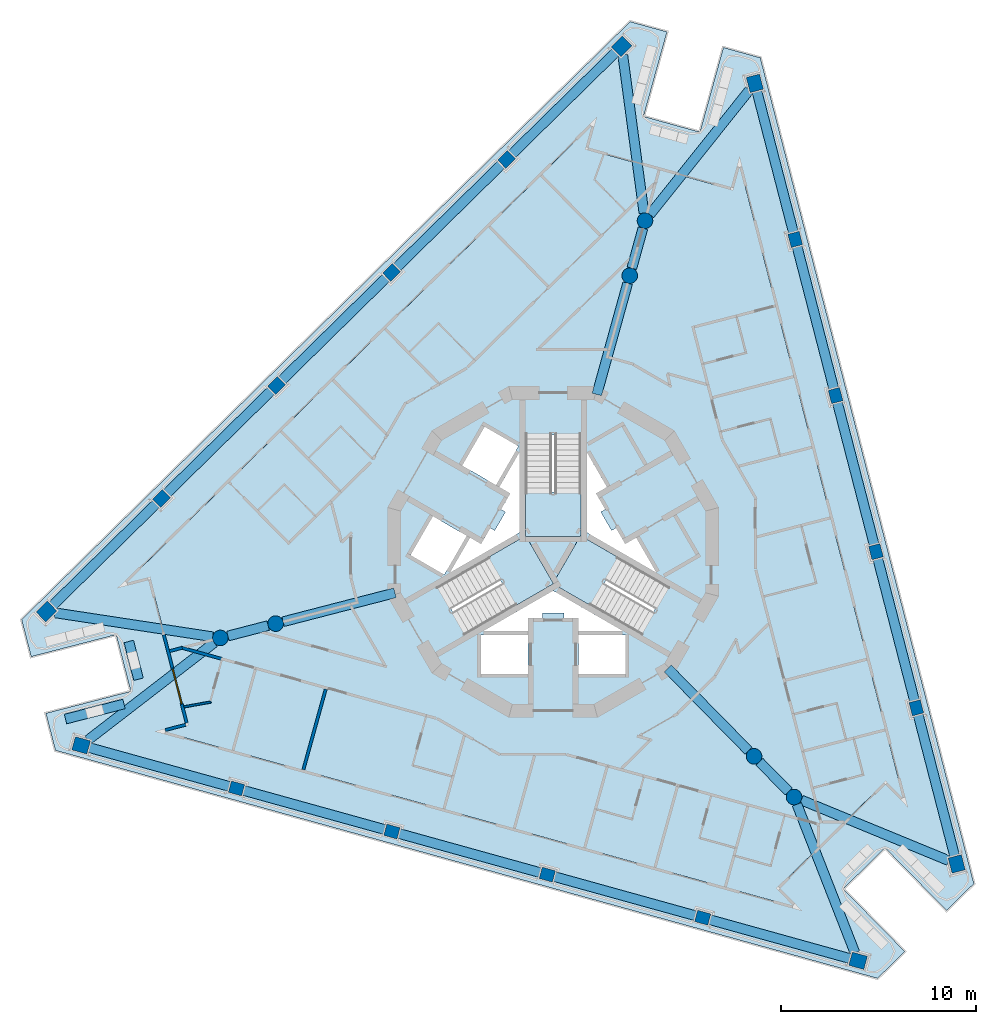
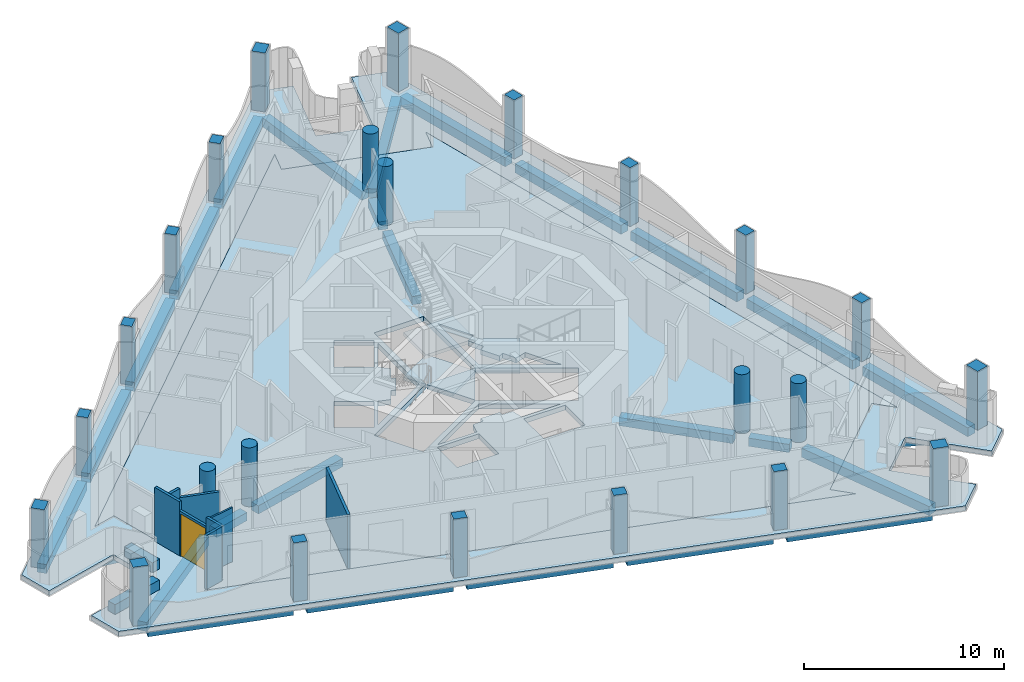
# One storey, part 1 of 14: 27 beams, 24 columns, 10 walls, 6 slabs, 1 door, 1 opening, 3 elements without a shape of their own.
"""IFC4 building model written with IfcOpenShell, lengths in metres."""

from ifc_helpers import new_model, si_unit, direction, frame, frame_2d, origin, origin_2d, place, context, subcontext, project, spatial, polyline, rectangle, circle, outline, extrude, material, layer, layer_set, material_profile, profile_set, type_object, element, fill, aggregate, save


model = new_model("IFC4")

# Units and contexts
model_context = context("Model", 3, precision=1e-05, world=origin(), true_north=direction((0.0, 1.0)))
body_context = subcontext(model_context, "Body", "Model", "MODEL_VIEW")
ifc_project = project(units=[si_unit("LENGTHUNIT", "METRE"), si_unit("AREAUNIT", "SQUARE_METRE"), si_unit("VOLUMEUNIT", "CUBIC_METRE"), si_unit("PLANEANGLEUNIT", "RADIAN"), si_unit("MASSUNIT", "GRAM", prefix="KILO")], contexts=[model_context])

# Site, building, storey
site_placement = place(None, origin())
site = spatial("IfcSite", under=ifc_project, at=site_placement, CompositionType="ELEMENT")
building_placement = place(site_placement, origin())
building = spatial("IfcBuilding", under=site, at=building_placement, Name="Trine Commons Tower", CompositionType="ELEMENT")
storey_placement = place(building_placement, frame((0.0, 0.0, 245.699951171875)))
storey = spatial("IfcBuildingStorey", under=building, at=storey_placement, Name="L64", CompositionType="ELEMENT", Elevation=245.699951171875)

# Columns
ifc_material_1 = material(Name="Concrete C50/60", Category="concrete")
ifc_material_profile_1 = material_profile(ifc_material_1, rectangle(XDim=0.699951171875, YDim=0.60009765625, at=origin_2d()), Name="RC 700x600")
ifc_profile_set_1 = profile_set([ifc_material_profile_1], Name="Concrete C50/60")
column_type_1 = type_object("IfcColumnType", Name="RC column 700x600, C50/60", PredefinedType="COLUMN", material=ifc_profile_set_1)
for number, where, z_axis, x_axis, name in (
    (1, (87.668701171875, 43.74072265625, 0.0), (0.0, 0.0, 1.0), (-0.963630453209, 0.267238376078, 0.0), "Column PC7-02 L64"),
    (2, (79.70068359375, 45.950439453125, 0.0), (0.0, 0.0, 1.0), (-0.963630453209, 0.267238376078, 0.0), "Column PC7-03 L64"),
    (3, (71.73291015625, 48.16015625, 0.0), (0.0, 0.0, 1.0), (-0.963630453209, 0.267238376078, 0.0), "Column PC7-04 L64"),
    (4, (63.764892578125, 50.369873046875, 0.0), (0.0, 0.0, 1.0), (-0.963630453209, 0.267238376078, 0.0), "Column PC7-05 L64"),
    (5, (59.91943359375, 65.23828125, 0.0), (0.0, 0.0, 1.0), (0.713250449154, 0.7009092643, 0.0), "Column PC7-08 L64"),
    (6, (65.817138671875, 71.033935546875, 0.0), (0.0, 0.0, 1.0), (0.713250449154, 0.7009092643, 0.0), "Column PC7-09 L64"),
    (7, (71.71484375, 76.82958984375, 0.0), (0.0, 0.0, 1.0), (0.713250449154, 0.7009092643, 0.0), "Column PC7-10 L64"),
    (8, (77.612548828125, 82.625244140625, 0.0), (0.0, 0.0, 1.0), (0.713250449154, 0.7009092643, 0.0), "Column PC7-11 L64"),
    (9, (92.41162109375, 78.52099609375, 0.0), (0.0, 0.0, 1.0), (-0.250380004054, 0.968147640378, 0.0), "Column PC7-14 L64"),
    (10, (94.48193359375, 70.515625, 0.0), (0.0, 0.0, 1.0), (-0.250380004054, 0.968147640378, 0.0), "Column PC7-15 L64"),
    (11, (96.55224609375, 62.51025390625, 0.0), (0.0, 0.0, 1.0), (-0.250380004054, 0.968147640378, 0.0), "Column PC7-16 L64"),
    (12, (98.622802734375, 54.5048828125, 0.0), (0.0, 0.0, 1.0), (-0.250380004054, 0.968147640378, 0.0), "Column PC7-17 L64"),
):
    element("IfcColumn", number, at=place(storey_placement, frame(where, z_axis=z_axis, x_axis=x_axis)), inside=storey, type_object=column_type_1, Name=name, PredefinedType="COLUMN", context=body_context, shape_type="SweptSolid", body=[
        extrude(rectangle(XDim=0.699951171875, YDim=0.60009765625, at=origin_2d()), origin(), (0.0, 0.0, 1.0), 3.60009765625),
    ])
ifc_material_profile_2 = material_profile(ifc_material_1, rectangle(XDim=0.800048828125, YDim=0.699951171875, at=origin_2d()), Name="RC 800x700")
ifc_profile_set_2 = profile_set([ifc_material_profile_2], Name="Concrete C50/60")
column_type_2 = type_object("IfcColumnType", Name="RC column 800x700, C50/60", PredefinedType="COLUMN", material=ifc_profile_set_2)
for number, where, z_axis, x_axis, name in (
    (13, (95.63671875, 41.531005859375, 0.0), (0.0, 0.0, 1.0), (-0.963630453209, 0.267238376078, 0.0), "Column PC7-01 L64"),
    (14, (55.796875, 52.57958984375, 0.0), (0.0, 0.0, 1.0), (-0.963630453209, 0.267238376078, 0.0), "Column PC7-06 L64"),
    (15, (54.02197265625, 59.442626953125, 0.0), (0.0, 0.0, 1.0), (0.713250449154, 0.7009092643, 0.0), "Column PC7-07 L64"),
    (16, (83.51025390625, 88.4208984375, 0.0), (0.0, 0.0, 1.0), (0.713250449154, 0.7009092643, 0.0), "Column PC7-12 L64"),
    (17, (90.34130859375, 86.5263671875, 0.0), (0.0, 0.0, 1.0), (-0.250380004054, 0.968147640378, 0.0), "Column PC7-13 L64"),
    (18, (100.693115234375, 46.499755859375, 0.0), (0.0, 0.0, 1.0), (-0.250380004054, 0.968147640378, 0.0), "Column PC7-18 L64"),
):
    element("IfcColumn", number, at=place(storey_placement, frame(where, z_axis=z_axis, x_axis=x_axis)), inside=storey, type_object=column_type_2, Name=name, PredefinedType="COLUMN", context=body_context, shape_type="SweptSolid", body=[
        extrude(rectangle(XDim=0.800048828125, YDim=0.699951171875, at=origin_2d()), origin(), (0.0, 0.0, 1.0), 3.60009765625),
    ])
ifc_material_profile_3 = material_profile(ifc_material_1, circle(Radius=0.39990234375, at=origin_2d()), Name="RC round 800")
ifc_profile_set_3 = profile_set([ifc_material_profile_3], Name="Concrete C50/60")
column_type_3 = type_object("IfcColumnType", Name="RC round column 800 mm, C50/60", PredefinedType="COLUMN", material=ifc_profile_set_3)
for number, where, z_axis, x_axis, name in (
    (19, (90.301513671875, 52.01708984375, 0.0), (0.0, 0.0, 1.0), (1.0, 0.0, 0.0), "Column WC7-1 L64"),
    (20, (92.352783203125, 49.9296875, 0.0), (0.0, 0.0, 1.0), (1.0, 0.0, 0.0), "Column WC7-2 L64"),
    (21, (83.927734375, 76.66259765625, 0.0), (0.0, 0.0, 1.0), (1.0, 0.0, 0.0), "Column WC7-3 L64"),
    (22, (84.709716796875, 79.48291015625, 0.0), (0.0, 0.0, 1.0), (1.0, 0.0, 0.0), "Column WC7-4 L64"),
    (23, (65.77099609375, 58.820068359375, 0.0), (0.0, 0.0, 1.0), (1.0, 0.0, 0.0), "Column WC7-5 L64"),
    (24, (62.9375, 58.08740234375, 0.0), (0.0, 0.0, 1.0), (1.0, 0.0, 0.0), "Column WC7-6 L64"),
):
    element("IfcColumn", number, at=place(storey_placement, frame(where, z_axis=z_axis, x_axis=x_axis)), inside=storey, type_object=column_type_3, Name=name, PredefinedType="COLUMN", context=body_context, shape_type="SweptSolid", body=[
        extrude(circle(Radius=0.39990234375, at=origin_2d()), origin(), (0.0, 0.0, 1.0), 3.60009765625),
    ])

# Beams
ifc_material_2 = material(Name="Concrete C40/50", Category="concrete")
ifc_material_profile_4 = material_profile(ifc_material_2, rectangle(XDim=0.5, YDim=0.5, at=origin_2d()), Name="RC 500x500")
ifc_profile_set_4 = profile_set([ifc_material_profile_4], Name="Concrete C40/50")
beam_type_1 = type_object("IfcBeamType", Name="RC beam 500x500, C40/50", PredefinedType="BEAM", material=ifc_profile_set_4)
beam_1_placement = place(storey_placement, frame((85.87353515625, 56.523193359375, -0.550048828125), z_axis=(0.700890997639, -0.713268399292, 0.0), x_axis=(0.713268399292, 0.700890997639, 0.0)))
element("IfcBeam", 25, at=beam_1_placement, inside=storey, type_object=beam_type_1, Name="Beam RB7-01 L64", PredefinedType="BEAM", context=body_context, shape_type="SweptSolid", body=[
    extrude(rectangle(XDim=0.5, YDim=0.5, at=origin_2d()), origin(), (0.0, 0.0, 1.0), 5.91748046875),
])
beam_2_placement = place(storey_placement, frame((90.581787109375, 51.73193359375, -0.550048828125), z_axis=(0.70093857454, -0.713221644877, 0.0), x_axis=(0.713221644877, 0.70093857454, 0.0)))
element("IfcBeam", 26, at=beam_2_placement, inside=storey, type_object=beam_type_1, Name="Beam RB7-02 L64", PredefinedType="BEAM", context=body_context, shape_type="SweptSolid", body=[
    extrude(rectangle(XDim=0.5, YDim=0.5, at=origin_2d()), origin(), (0.0, 0.0, 1.0), 2.126708984375),
])
beam_3_placement = place(storey_placement, frame((82.239501953125, 70.574951171875, -0.550048828125), z_axis=(0.267209770713, 0.963638385721, 0.0), x_axis=(-0.963638385721, 0.267209770713, 0.0)))
element("IfcBeam", 27, at=beam_3_placement, inside=storey, type_object=beam_type_1, Name="Beam RB7-03 L64", PredefinedType="BEAM", context=body_context, shape_type="SweptSolid", body=[
    extrude(rectangle(XDim=0.5, YDim=0.5, at=origin_2d()), origin(), (0.0, 0.0, 1.0), 5.917724609375),
])
beam_4_placement = place(storey_placement, frame((84.034423828125, 77.0478515625, -0.550048828125), z_axis=(0.267270963033, 0.963621415453, 0.0), x_axis=(-0.963621415453, 0.267270963033, 0.0)))
element("IfcBeam", 28, at=beam_4_placement, inside=storey, type_object=beam_type_1, Name="Beam RB7-04 L64", PredefinedType="BEAM", context=body_context, shape_type="SweptSolid", body=[
    extrude(rectangle(XDim=0.5, YDim=0.5, at=origin_2d()), origin(), (0.0, 0.0, 1.0), 2.12744140625),
])
beam_5_placement = place(storey_placement, frame((71.88720703125, 60.40185546875, -0.550048828125), z_axis=(-0.968150015074, -0.250370821607, 0.0), x_axis=(0.250370821607, -0.968150015074, 0.0)))
element("IfcBeam", 29, at=beam_5_placement, inside=storey, type_object=beam_type_1, Name="Beam RB7-05 L64", PredefinedType="BEAM", context=body_context, shape_type="SweptSolid", body=[
    extrude(rectangle(XDim=0.5, YDim=0.5, at=origin_2d()), origin(), (0.0, 0.0, 1.0), 5.91796875),
])
beam_6_placement = place(storey_placement, frame((65.384033203125, 58.72021484375, -0.550048828125), z_axis=(-0.968118610388, -0.250492227863, 0.0), x_axis=(0.250492227863, -0.968118610388, 0.0)))
element("IfcBeam", 30, at=beam_6_placement, inside=storey, type_object=beam_type_1, Name="Beam RB7-06 L64", PredefinedType="BEAM", context=body_context, shape_type="SweptSolid", body=[
    extrude(rectangle(XDim=0.5, YDim=0.5, at=origin_2d()), origin(), (0.0, 0.0, 1.0), 2.127685546875),
])
ifc_material_profile_5 = material_profile(ifc_material_2, rectangle(XDim=0.5, YDim=0.550048828125, at=origin_2d()), Name="RC 500x550")
ifc_profile_set_5 = profile_set([ifc_material_profile_5], Name="Concrete C40/50")
beam_type_2 = type_object("IfcBeamType", Name="RC beam 500x550, C40/50", PredefinedType="BEAM", material=ifc_profile_set_5)
beam_7_placement = place(storey_placement, frame((95.251220703125, 41.6376953125, -0.574951171875), z_axis=(-0.963621113681, 0.267272051042, 0.0), x_axis=(-0.267272051042, -0.963621113681, 0.0)))
element("IfcBeam", 31, at=beam_7_placement, inside=storey, type_object=beam_type_2, Name="Beam EB7-01 L64", PredefinedType="BEAM", context=body_context, shape_type="SweptSolid", body=[
    extrude(rectangle(XDim=0.5, YDim=0.550048828125, at=origin_2d()), origin(), (0.0, 0.0, 1.0), 7.5185546875),
])
for number, where, z_axis, x_axis, name in (
    (32, (87.33154296875, 43.834228515625, -0.574951171875), (-0.963628737279, 0.267244563445, 0.0), (-0.267244563445, -0.963628737279, 0.0), "Beam EB7-02 L64"),
    (33, (79.363525390625, 46.0439453125, -0.574951171875), (-0.963628737279, 0.267244563445, 0.0), (-0.267244563445, -0.963628737279, 0.0), "Beam EB7-03 L64"),
    (34, (71.3955078125, 48.253662109375, -0.574951171875), (-0.963628737279, 0.267244563445, 0.0), (-0.267244563445, -0.963628737279, 0.0), "Beam EB7-04 L64"),
):
    element("IfcBeam", number, at=place(storey_placement, frame(where, z_axis=z_axis, x_axis=x_axis)), inside=storey, type_object=beam_type_2, Name=name, PredefinedType="BEAM", context=body_context, shape_type="SweptSolid", body=[
        extrude(rectangle(XDim=0.5, YDim=0.550048828125, at=origin_2d()), origin(), (0.0, 0.0, 1.0), 7.56884765625),
    ])
for number, where, z_axis, x_axis, name in (
    (35, (63.427490234375, 50.46337890625, -0.574951171875), (-0.963629476257, 0.267241898827, 0.0), (-0.267241898827, -0.963629476257, 0.0), "Beam EB7-05 L64"),
    (36, (54.30712890625, 59.72314453125, -0.574951171875), (0.713265514722, 0.700893933137, 0.0), (-0.700893933137, 0.713265514722, 0.0), "Beam EB7-06 L64"),
):
    element("IfcBeam", number, at=place(storey_placement, frame(where, z_axis=z_axis, x_axis=x_axis)), inside=storey, type_object=beam_type_2, Name=name, PredefinedType="BEAM", context=body_context, shape_type="SweptSolid", body=[
        extrude(rectangle(XDim=0.5, YDim=0.550048828125, at=origin_2d()), origin(), (0.0, 0.0, 1.0), 7.5185546875),
    ])
for number, where, z_axis, x_axis, name in (
    (37, (60.169189453125, 65.483642578125, -0.574951171875), (0.713256929801, 0.700902669485, 0.0), (-0.700902669485, 0.713256929801, 0.0), "Beam EB7-07 L64"),
    (38, (66.06689453125, 71.279296875, -0.574951171875), (0.713256929801, 0.700902669485, 0.0), (-0.700902669485, 0.713256929801, 0.0), "Beam EB7-08 L64"),
    (39, (71.964599609375, 77.074951171875, -0.574951171875), (0.713241082752, 0.700918795492, 0.0), (-0.700918795492, 0.713241082752, 0.0), "Beam EB7-09 L64"),
):
    element("IfcBeam", number, at=place(storey_placement, frame(where, z_axis=z_axis, x_axis=x_axis)), inside=storey, type_object=beam_type_2, Name=name, PredefinedType="BEAM", context=body_context, shape_type="SweptSolid", body=[
        extrude(rectangle(XDim=0.5, YDim=0.550048828125, at=origin_2d()), origin(), (0.0, 0.0, 1.0), 7.568603515625),
    ])
beam_8_placement = place(storey_placement, frame((77.862060546875, 82.87060546875, -0.574951171875), z_axis=(0.713265514722, 0.700893933137, 0.0), x_axis=(-0.700893933137, 0.713265514722, 0.0)))
element("IfcBeam", 40, at=beam_8_placement, inside=storey, type_object=beam_type_2, Name="Beam EB7-10 L64", PredefinedType="BEAM", context=body_context, shape_type="SweptSolid", body=[
    extrude(rectangle(XDim=0.5, YDim=0.550048828125, at=origin_2d()), origin(), (0.0, 0.0, 1.0), 7.5185546875),
])
beam_9_placement = place(storey_placement, frame((90.441650390625, 86.13916015625, -0.574951171875), z_axis=(0.250381772483, -0.96814718303, 0.0), x_axis=(0.96814718303, 0.250381772483, 0.0)))
element("IfcBeam", 41, at=beam_9_placement, inside=storey, type_object=beam_type_2, Name="Beam EB7-11 L64", PredefinedType="BEAM", context=body_context, shape_type="SweptSolid", body=[
    extrude(rectangle(XDim=0.5, YDim=0.550048828125, at=origin_2d()), origin(), (0.0, 0.0, 1.0), 7.518798828125),
])
for number, where, z_axis, x_axis, name in (
    (42, (92.499267578125, 78.18212890625, -0.574951171875), (0.250375524013, -0.968148798985, 0.0), (0.968148798985, 0.250375524013, 0.0), "Beam EB7-12 L64"),
    (43, (94.569580078125, 70.1767578125, -0.574951171875), (0.250375524013, -0.968148798985, 0.0), (0.968148798985, 0.250375524013, 0.0), "Beam EB7-13 L64"),
    (44, (96.639892578125, 62.17138671875, -0.574951171875), (0.250413578195, -0.968138956894, 0.0), (0.968138956894, 0.250413578195, 0.0), "Beam EB7-14 L64"),
):
    element("IfcBeam", number, at=place(storey_placement, frame(where, z_axis=z_axis, x_axis=x_axis)), inside=storey, type_object=beam_type_2, Name=name, PredefinedType="BEAM", context=body_context, shape_type="SweptSolid", body=[
        extrude(rectangle(XDim=0.5, YDim=0.550048828125, at=origin_2d()), origin(), (0.0, 0.0, 1.0), 7.568603515625),
    ])
beam_10_placement = place(storey_placement, frame((98.710205078125, 54.166015625, -0.574951171875), z_axis=(0.250389643834, -0.96814514731, 0.0), x_axis=(0.96814514731, 0.250389643834, 0.0)))
element("IfcBeam", 45, at=beam_10_placement, inside=storey, type_object=beam_type_2, Name="Beam EB7-15 L64", PredefinedType="BEAM", context=body_context, shape_type="SweptSolid", body=[
    extrude(rectangle(XDim=0.5, YDim=0.550048828125, at=origin_2d()), origin(), (0.0, 0.0, 1.0), 7.5185546875),
])
beam_11_placement = place(storey_placement, frame((56.143310546875, 52.8466796875, -0.574951171875), z_axis=(0.79181565557, 0.610760155539, 0.0), x_axis=(-0.610760155539, 0.79181565557, 0.0)))
element("IfcBeam", 46, at=beam_11_placement, inside=storey, type_object=beam_type_2, Name="Beam CB7-01 L64", PredefinedType="BEAM", context=body_context, shape_type="SweptSolid", body=[
    extrude(rectangle(XDim=0.5, YDim=0.550048828125, at=origin_2d()), origin(), (0.0, 0.0, 1.0), 8.180908203125),
])
for number, where, z_axis, x_axis, name in (
    (47, (54.454345703125, 59.376953125, -0.574951171875), (0.98863822303, -0.150314550074, 0.0), (0.150314550074, 0.98863822303, 0.0), "Beam CB7-02 L64"),
    (48, (83.568359375, 87.9873046875, -0.574951171875), (0.1330354713, -0.99111127699, 0.0), (0.99111127699, 0.1330354713, 0.0), "Beam CB7-03 L64"),
):
    element("IfcBeam", number, at=place(storey_placement, frame(where, z_axis=z_axis, x_axis=x_axis)), inside=storey, type_object=beam_type_2, Name=name, PredefinedType="BEAM", context=body_context, shape_type="SweptSolid", body=[
        extrude(rectangle(XDim=0.5, YDim=0.550048828125, at=origin_2d()), origin(), (0.0, 0.0, 1.0), 8.18115234375),
    ])
beam_12_placement = place(storey_placement, frame((90.068115234375, 86.184814453125, -0.574951171875), z_axis=(-0.624465738686, -0.781052201333, 0.0), x_axis=(0.781052201333, -0.624465738686, 0.0)))
element("IfcBeam", 49, at=beam_12_placement, inside=storey, type_object=beam_type_2, Name="Beam CB7-04 L64", PredefinedType="BEAM", context=body_context, shape_type="SweptSolid", body=[
    extrude(rectangle(XDim=0.5, YDim=0.550048828125, at=origin_2d()), origin(), (0.0, 0.0, 1.0), 8.180908203125),
])
beam_13_placement = place(storey_placement, frame((100.28857421875, 46.666015625, -0.574951171875), z_axis=(-0.924841797532, 0.380352007407, 0.0), x_axis=(-0.380352007407, -0.924841797532, 0.0)))
element("IfcBeam", 50, at=beam_13_placement, inside=storey, type_object=beam_type_2, Name="Beam CB7-05 L64", PredefinedType="BEAM", context=body_context, shape_type="SweptSolid", body=[
    extrude(rectangle(XDim=0.5, YDim=0.550048828125, at=origin_2d()), origin(), (0.0, 0.0, 1.0), 8.1806640625),
])
beam_14_placement = place(storey_placement, frame((95.4775390625, 41.938232421875, -0.574951171875), z_axis=(-0.36416079705, 0.931336090727, 0.0), x_axis=(-0.931336090727, -0.36416079705, 0.0)))
element("IfcBeam", 51, at=beam_14_placement, inside=storey, type_object=beam_type_2, Name="Beam CB7-06 L64", PredefinedType="BEAM", context=body_context, shape_type="SweptSolid", body=[
    extrude(rectangle(XDim=0.5, YDim=0.550048828125, at=origin_2d()), origin(), (0.0, 0.0, 1.0), 8.18115234375),
])

# Slabs
ifc_layer_1 = layer(ifc_material_2, 0.300048828125)
ifc_layer_set_1 = layer_set([ifc_layer_1], Name="Concrete C40/50")
slab_type_1 = type_object("IfcSlabType", Name="Loggia slab 300 mm, C40/50", PredefinedType="FLOOR", material=ifc_layer_set_1)
slab_1_placement = place(storey_placement, frame((0.0, 0.0, -0.300048828125)))
element("IfcSlab", 52, at=slab_1_placement, inside=storey, type_object=slab_type_1, Name="Loggia slab L64", PredefinedType="FLOOR", context=body_context, shape_type="SweptSolid", body=[
    extrude(outline(polyline([(101.57421875, 45.488037109375), (90.621826171875, 87.83837890625), (88.72900390625, 88.36328125), (87.526611328125, 84.02685546875), (84.6357421875, 84.82861328125), (85.838134765625, 89.1650390625), (83.945556640625, 89.68994140625), (52.745361328125, 59.029541015625), (53.2373046875, 57.1279296875), (57.593994140625, 58.254638671875), (58.344970703125, 55.350341796875), (53.98828125, 54.2236328125), (54.47998046875, 52.322021484375), (96.6328125, 40.632080078125), (98.03369140625, 42.0087890625), (94.879638671875, 45.218505859375), (97.019287109375, 47.321044921875), (100.17333984375, 44.111572265625), (101.57421875, 45.488037109375)]), holes=[polyline([(59.31640625, 61.17919921875), (61.26953125, 53.627685546875), (59.96728515625, 53.291015625), (92.42822265625, 44.28857421875), (91.485595703125, 45.248046875), (97.048828125, 50.715087890625), (97.99169921875, 49.755615234375), (89.557373046875, 82.368896484375), (89.197998046875, 81.07275390625), (81.681640625, 83.1572265625), (82.041015625, 84.453369140625), (58.014404296875, 60.84228515625), (59.31640625, 61.17919921875)])]), origin(), (0.0, 0.0, 1.0), 0.300048828125),
])
ifc_layer_2 = layer(ifc_material_2, 0.300048828125)
ifc_layer_set_2 = layer_set([ifc_layer_2], Name="Concrete C40/50")
slab_type_2 = type_object("IfcSlabType", Name="PT flat slab 300 mm, C40/50", PredefinedType="FLOOR", material=ifc_layer_set_2)
slab_2_placement = place(storey_placement, frame((0.0, 0.0, -0.300048828125)))
element("IfcSlab", 53, at=slab_2_placement, inside=storey, type_object=slab_type_2, Name="Floor slab L64", PredefinedType="FLOOR", context=body_context, shape_type="SweptSolid", body=[
    extrude(outline(polyline([(58.014404296875, 60.84228515625), (59.31640625, 61.17919921875), (61.26953125, 53.627685546875), (59.96728515625, 53.291015625), (92.42822265625, 44.28857421875), (91.485595703125, 45.248046875), (97.048828125, 50.715087890625), (97.99169921875, 49.755615234375), (89.557373046875, 82.368896484375), (89.197998046875, 81.07275390625), (81.681640625, 83.1572265625), (82.041015625, 84.453369140625), (58.014404296875, 60.84228515625)]), holes=[polyline([(78.699951171875, 56.25), (78.699951171875, 58.25), (76.300048828125, 58.25), (76.300048828125, 56.25), (78.699951171875, 56.25)]), polyline([(83.699951171875, 56.25), (83.699951171875, 58.25), (81.300048828125, 58.25), (81.300048828125, 56.25), (83.699951171875, 56.25)]), polyline([(81.300048828125, 58.449951171875), (83.56494140625, 58.449951171875), (80.0, 60.508056640625), (76.43505859375, 58.449951171875), (78.699951171875, 58.449951171875), (78.85009765625, 59.10009765625), (79.449951171875, 59.10009765625), (79.449951171875, 59.360107421875), (80.550048828125, 59.360107421875), (80.550048828125, 59.10009765625), (81.14990234375, 59.10009765625), (81.300048828125, 58.449951171875)]), polyline([(81.425048828125, 63.32275390625), (81.425048828125, 68.490478515625), (78.574951171875, 68.490478515625), (78.574951171875, 63.32275390625), (74.099609375, 60.73876953125), (75.5244140625, 58.2705078125), (80.0, 60.8544921875), (84.4755859375, 58.2705078125), (85.900390625, 60.73876953125), (81.425048828125, 63.32275390625)]), polyline([(72.687255859375, 62.333984375), (74.41943359375, 61.333984375), (75.5693359375, 63.325927734375), (73.83740234375, 64.325927734375), (72.687255859375, 62.333984375)]), polyline([(76.381103515625, 63.031005859375), (75.742919921875, 63.22607421875), (74.7099609375, 61.43798828125), (78.27490234375, 63.49609375), (78.27490234375, 67.612060546875), (77.242919921875, 65.823974609375), (77.73095703125, 65.368896484375), (77.3310546875, 64.676025390625), (77.555908203125, 64.5458984375), (77.006103515625, 63.593994140625), (76.781005859375, 63.722900390625), (76.381103515625, 63.031005859375)]), polyline([(82.993896484375, 63.593994140625), (82.444091796875, 64.5458984375), (82.72705078125, 64.7099609375), (82.281005859375, 65.549072265625), (82.757080078125, 65.823974609375), (81.72509765625, 67.612060546875), (81.72509765625, 63.49609375), (85.2900390625, 61.43798828125), (84.257080078125, 63.22607421875), (83.618896484375, 63.031005859375), (83.243896484375, 63.738037109375), (82.993896484375, 63.593994140625)]), polyline([(76.4873046875, 68.916015625), (75.33740234375, 66.924072265625), (77.0693359375, 65.924072265625), (78.219482421875, 67.916015625), (76.4873046875, 68.916015625)])]), origin(), (0.0, 0.0, 1.0), 0.300048828125),
])
slab_3_placement = place(storey_placement, frame((0.0, 0.0, -0.300048828125)))
element("IfcSlab", 54, at=slab_3_placement, inside=storey, type_object=slab_type_2, Name="Floor slab L64 2", PredefinedType="FLOOR", context=body_context, shape_type="SweptSolid", body=[
    extrude(outline(polyline([(81.38671875, 63.300537109375), (78.61328125, 63.300537109375), (80.0, 60.89892578125), (81.38671875, 63.300537109375)])), origin(), (0.0, 0.0, 1.0), 0.300048828125),
])

# Stair, slab
stair_type = type_object("IfcStairType", Name="Exit stair, dog-leg, 24 risers of 150 mm", PredefinedType="HALF_TURN_STAIR", material=ifc_material_1)
stair_1_placement = place(storey_placement, origin())
stair_1 = element("IfcStair", 55, at=stair_1_placement, inside=storey, type_object=stair_type, Name="L64 Exit stair ST1C", PredefinedType="HALF_TURN_STAIR")
ifc_layer_3 = layer(ifc_material_1, 0.199951171875)
ifc_layer_set_3 = layer_set([ifc_layer_3], Name="Concrete C50/60")
slab_type_3 = type_object("IfcSlabType", Name="Stair landing slab 200 mm, C50/60", PredefinedType="LANDING", material=ifc_layer_set_3)
slab_4_placement = place(storey_placement, frame((0.0, 0.0, 1.60009765625)))
slab_4 = element("IfcSlab", 56, at=slab_4_placement, type_object=slab_type_3, Name="ST1C landing 1", PredefinedType="LANDING", context=body_context, shape_type="SweptSolid", body=[
    extrude(outline(polyline([(78.574951171875, 65.570556640625), (78.574951171875, 63.300537109375), (81.425048828125, 63.300537109375), (81.425048828125, 65.570556640625), (78.574951171875, 65.570556640625)])), origin(), (0.0, 0.0, 1.0), 0.199951171875),
])
aggregate(stair_1, [slab_4])

stair_2_placement = place(storey_placement, origin())
stair_2 = element("IfcStair", 57, at=stair_2_placement, inside=storey, type_object=stair_type, Name="L64 Exit stair ST2C", PredefinedType="HALF_TURN_STAIR")
slab_5_placement = place(storey_placement, frame((0.0, 0.0, 1.60009765625)))
slab_5 = element("IfcSlab", 58, at=slab_5_placement, type_object=slab_type_3, Name="ST2C landing 1", PredefinedType="LANDING", context=body_context, shape_type="SweptSolid", body=[
    extrude(outline(polyline([(78.05322265625, 59.730712890625), (80.019287109375, 60.86572265625), (78.59423828125, 63.333740234375), (76.628173828125, 62.19873046875), (78.05322265625, 59.730712890625)])), origin(), (0.0, 0.0, 1.0), 0.199951171875),
])
aggregate(stair_2, [slab_5])

stair_3_placement = place(storey_placement, origin())
stair_3 = element("IfcStair", 59, at=stair_3_placement, inside=storey, type_object=stair_type, Name="L64 Exit stair ST3C", PredefinedType="HALF_TURN_STAIR")
slab_6_placement = place(storey_placement, frame((0.0, 0.0, 1.60009765625)))
slab_6 = element("IfcSlab", 60, at=slab_6_placement, type_object=slab_type_3, Name="ST3C landing 1", PredefinedType="LANDING", context=body_context, shape_type="SweptSolid", body=[
    extrude(outline(polyline([(83.371826171875, 62.19873046875), (81.40576171875, 63.333740234375), (79.980712890625, 60.86572265625), (81.94677734375, 59.730712890625), (83.371826171875, 62.19873046875)])), origin(), (0.0, 0.0, 1.0), 0.199951171875),
])
aggregate(stair_3, [slab_6])

# Walls
ifc_material_3 = material(Name="Aluminium-framed insulated wall panel", Category="aluminium")
ifc_layer_4 = layer(ifc_material_3, 0.14990234375)
ifc_layer_set_4 = layer_set([ifc_layer_4], Name="Aluminium-framed insulated wall panel")
wall_type_1 = type_object("IfcWallType", Name="Glazed frame wall 150, EI 60", PredefinedType="SOLIDWALL", material=ifc_layer_set_4)
wall_1_placement = place(storey_placement, frame((59.95849609375, 53.32470703125, 0.0), z_axis=(0.0, 0.0, 1.0), x_axis=(0.968124150503, 0.250470815091, 0.0)))
element("IfcWall", 61, at=wall_1_placement, inside=storey, type_object=wall_type_1, Name="Glazed frame wall R10", PredefinedType="SOLIDWALL", context=body_context, shape_type="SweptSolid", body=[
    extrude(outline(polyline([(0.1494140625, 0.074951171875), (0.1494140625, -0.074951171875), (1.235107421875, -0.074951171875), (1.235107421875, 0.074951171875), (0.1494140625, 0.074951171875)])), origin(), (0.0, 0.0, 1.0), 3.300048828125),
])
wall_2_placement = place(storey_placement, frame((61.235595703125, 53.618896484375, 0.0), z_axis=(0.0, 0.0, 1.0), x_axis=(-0.250361300835, 0.968152477167, 0.0)))
element("IfcWall", 62, at=wall_2_placement, inside=storey, type_object=wall_type_1, Name="Glazed frame wall P3.1", PredefinedType="SOLIDWALL", context=body_context, shape_type="SweptSolid", body=[
    extrude(outline(polyline([(0.110107421875, -0.074951171875), (1.10009765625, -0.074951171875), (1.10009765625, 0.074951171875), (0.110107421875, 0.074951171875), (0.110107421875, -0.074951171875)])), origin(), (0.0, 0.0, 1.0), 3.300048828125),
])

# Wall, opening, door
wall_3_placement = place(storey_placement, frame((60.960205078125, 54.683837890625, 0.0), z_axis=(0.0, 0.0, 1.0), x_axis=(-0.250450586115, 0.968129383871, 0.0)))
wall_3 = element("IfcWall", 63, at=wall_3_placement, inside=storey, type_object=wall_type_1, Name="Glazed frame wall P3.2", PredefinedType="SOLIDWALL", context=body_context, shape_type="SweptSolid", body=[
    extrude(outline(polyline([(0.0, -0.074951171875), (1.92138671875, -0.074951171875), (1.92138671875, 0.074951171875), (0.0, 0.074951171875), (0.0, -0.074951171875)])), origin(), (0.0, 0.0, 1.0), 2.75),
])
opening_placement = place(wall_3_placement, frame((0.050048828125, 0.0, 0.0)))
opening = element("IfcOpeningElement", 64, at=opening_placement, cuts=wall_3, Name="Opening BD-7P3-01", PredefinedType="OPENING", context=body_context, shape_type="SweptSolid", body=[
    extrude(rectangle(XDim=1.800048828125, YDim=2.60009765625, at=frame_2d((0.89990234375, 1.300048828125))), frame((0.0, 0.0849609375, 0.0), z_axis=(0.0, -1.0, 0.0), x_axis=(1.0, 0.0, 0.0)), (0.0, 0.0, 1.0), 0.169921875),
])
ifc_material_4 = material(Name="Anodised aluminium frame with double glazing", Category="aluminium")
door_type = type_object("IfcDoorType", Name="Sliding loggia door 1800x2600", OperationType="SLIDING_TO_LEFT", PredefinedType="DOOR", material=ifc_material_4)
door_placement = place(opening_placement, origin())
door = element("IfcDoor", 65, at=door_placement, inside=storey, type_object=door_type, Name="Loggia door P3 1", OperationType="SLIDING_TO_LEFT", OverallHeight=2.60009765625, OverallWidth=1.800048828125, PredefinedType="DOOR", context=body_context, shape_type="SweptSolid", body=[
    extrude(rectangle(XDim=1.800048828125, YDim=2.60009765625, at=frame_2d((0.89990234375, 1.300048828125))), frame((0.0, 0.02490234375, 0.0), z_axis=(0.0, -1.0, 0.0), x_axis=(1.0, 0.0, 0.0)), (0.0, 0.0, 1.0), 0.050048828125),
])
fill(opening, door)

# Walls
wall_4_placement = place(storey_placement, frame((60.47900390625, 56.5439453125, 0.0), z_axis=(0.0, 0.0, 1.0), x_axis=(-0.250373840462, 0.968149234371, 0.0)))
element("IfcWall", 66, at=wall_4_placement, inside=storey, type_object=wall_type_1, Name="Glazed frame wall P3.3", PredefinedType="SOLIDWALL", context=body_context, shape_type="SweptSolid", body=[
    extrude(outline(polyline([(0.0, -0.074951171875), (1.757080078125, -0.074951171875), (1.757080078125, 0.074951171875), (0.0, 0.074951171875), (0.0, -0.074951171875)])), origin(), (0.0, 0.0, 1.0), 3.300048828125),
])
ifc_material_5 = material(Name="Planter trough, precast concrete C40/50", Category="concrete")
ifc_layer_5 = layer(ifc_material_5, 0.5)
ifc_layer_set_5 = layer_set([ifc_layer_5], Name="Planter trough, precast concrete C40/50")
wall_type_2 = type_object("IfcWallType", Name="Planter trough 500x600", PredefinedType="PARAPET", material=ifc_layer_set_5)
wall_5_placement = place(storey_placement, frame((54.994873046875, 53.92626953125, 0.0), z_axis=(0.0, 0.0, 1.0), x_axis=(0.968151190511, 0.250366276306, 0.0)))
element("IfcWall", 67, at=wall_5_placement, inside=storey, type_object=wall_type_2, Name="Planter 1", PredefinedType="PARAPET", context=body_context, shape_type="SweptSolid", body=[
    extrude(rectangle(XDim=3.099853515625, YDim=0.5, at=frame_2d((1.5498046875, 0.0))), origin(), (0.0, 0.0, 1.0), 0.60009765625),
])
wall_6_placement = place(storey_placement, frame((58.74267578125, 55.969482421875, 0.0), z_axis=(0.0, 0.0, 1.0), x_axis=(-0.250483427189, 0.968120887443, 0.0)))
element("IfcWall", 68, at=wall_6_placement, inside=storey, type_object=wall_type_2, Name="Planter 2", PredefinedType="PARAPET", context=body_context, shape_type="SweptSolid", body=[
    extrude(rectangle(XDim=2.0, YDim=0.5, at=frame_2d((1.0, 0.0))), origin(), (0.0, 0.0, 1.0), 0.60009765625),
])
ifc_material_6 = material(Name="Gypsum plasterboard on steel stud", Category="steel")
ifc_layer_6 = layer(ifc_material_6, 0.14990234375)
ifc_layer_set_6 = layer_set([ifc_layer_6], Name="Gypsum plasterboard on steel stud")
wall_type_3 = type_object("IfcWallType", Name="Unit and corridor wall 150 mm, EI 60", PredefinedType="PARTITIONING", material=ifc_layer_set_6)
wall_7_placement = place(storey_placement, frame((60.331787109375, 57.4130859375, 0.0), z_axis=(0.0, 0.0, 1.0), x_axis=(0.968209183311, 0.250141914426, 0.0)))
element("IfcWall", 69, at=wall_7_placement, inside=storey, type_object=wall_type_3, Name="Partition 001", PredefinedType="PARTITIONING", context=body_context, shape_type="SweptSolid", body=[
    extrude(rectangle(XDim=0.67138671875, YDim=0.14990234375, at=frame_2d((0.335693359375, 0.0))), origin(), (0.0, 0.0, 1.0), 3.300048828125),
])
wall_8_placement = place(storey_placement, frame((60.898681640625, 57.59912109375, 0.0), z_axis=(0.0, 0.0, 1.0), x_axis=(0.963611333455, -0.267307310107, 0.0)))
element("IfcWall", 70, at=wall_8_placement, inside=storey, type_object=wall_type_3, Name="Partition 002", PredefinedType="PARTITIONING", context=body_context, shape_type="SweptSolid", body=[
    extrude(rectangle(XDim=2.20751953125, YDim=0.14990234375, at=frame_2d((1.103759765625, 0.0))), origin(), (0.0, 0.0, 1.0), 2.75),
])
wall_9_placement = place(storey_placement, frame((67.191650390625, 51.32861328125, 0.0), z_axis=(0.0, 0.0, 1.0), x_axis=(0.267270648008, 0.963621502828, 0.0)))
element("IfcWall", 71, at=wall_9_placement, inside=storey, type_object=wall_type_3, Name="Partition 015", PredefinedType="PARTITIONING", context=body_context, shape_type="SweptSolid", body=[
    extrude(rectangle(XDim=4.284912109375, YDim=0.14990234375, at=frame_2d((2.142578125, 0.0))), origin(), (0.0, 0.0, 1.0), 3.300048828125),
])
ifc_layer_7 = layer(ifc_material_6, 0.10009765625)
ifc_layer_set_7 = layer_set([ifc_layer_7], Name="Gypsum plasterboard on steel stud")
wall_type_4 = type_object("IfcWallType", Name="Unit partition 100 mm, no rating", PredefinedType="PARTITIONING", material=ifc_layer_set_7)
wall_10_placement = place(storey_placement, frame((61.0712890625, 54.553955078125, 0.0), z_axis=(0.0, 0.0, 1.0), x_axis=(0.984390043895, 0.176000686023, 0.0)))
element("IfcWall", 72, at=wall_10_placement, inside=storey, type_object=wall_type_4, Name="Partition 004", PredefinedType="PARTITIONING", context=body_context, shape_type="SweptSolid", body=[
    extrude(rectangle(XDim=1.407958984375, YDim=0.10009765625, at=frame_2d((0.7041015625, 0.0))), origin(), (0.0, 0.0, 1.0), 3.300048828125),
])

save(model, "model.ifc")
